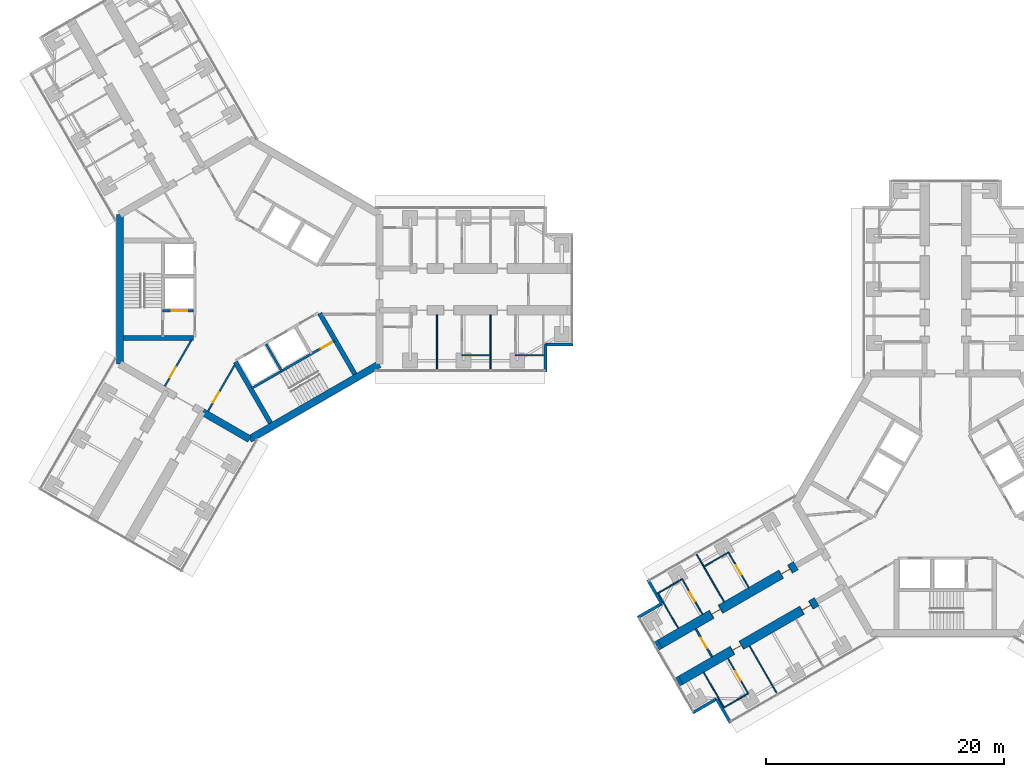
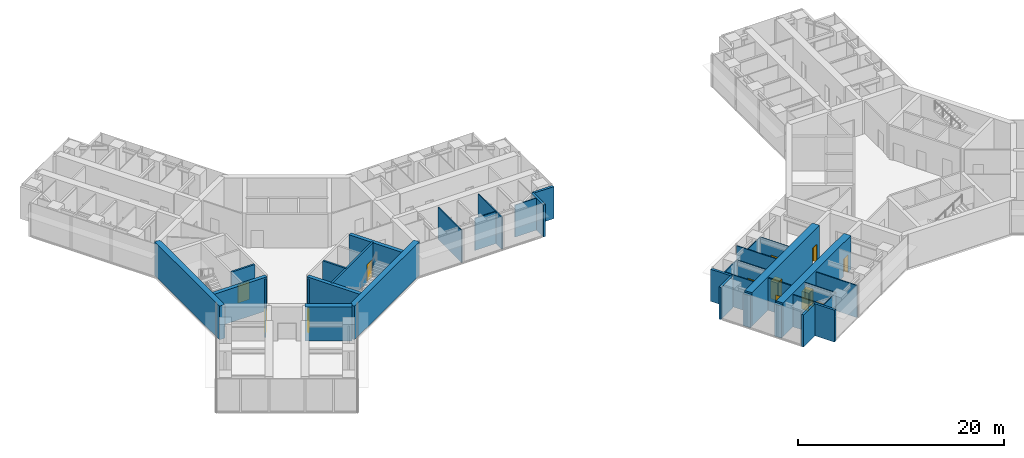
# One storey, part 15 of 23: 36 walls, 12 doors, 12 openings.
"""IFC4 building model written with IfcOpenShell, lengths in metres."""

from ifc_helpers import new_model, si_unit, direction, frame, frame_2d, origin, place, context, subcontext, project, spatial, rectangle, extrude, material, layer, layer_set, type_object, element, fill, save


model = new_model("IFC4")

# Units and contexts
model_context = context("Model", 3, precision=1e-05, world=origin(), true_north=direction((0.0, 1.0)))
body_context = subcontext(model_context, "Body", "Model", "MODEL_VIEW")
ifc_project = project(units=[si_unit("LENGTHUNIT", "METRE"), si_unit("AREAUNIT", "SQUARE_METRE"), si_unit("VOLUMEUNIT", "CUBIC_METRE"), si_unit("PLANEANGLEUNIT", "RADIAN"), si_unit("MASSUNIT", "GRAM", prefix="KILO")], contexts=[model_context])

# Site, building, storey
site_placement = place(None, origin())
site = spatial("IfcSite", under=ifc_project, at=site_placement, CompositionType="ELEMENT")
building_placement = place(site_placement, origin())
building = spatial("IfcBuilding", under=site, at=building_placement, Name="Upepo Twin Towers", CompositionType="ELEMENT")
storey_placement = place(building_placement, frame((0.0, 0.0, 157.5)))
storey = spatial("IfcBuildingStorey", under=building, at=storey_placement, Name="L38", CompositionType="ELEMENT", Elevation=157.5)

# Walls
ifc_material_1 = material(Name="Dense concrete blockwork", Category="masonry")
ifc_layer_1 = layer(ifc_material_1, 0.800048828125)
ifc_layer_set_1 = layer_set([ifc_layer_1], Name="Buttress closer 800, blockwork with fire-stopping to the curtain wall")
wall_type_1 = type_object("IfcWallType", Name="Buttress closer 800, blockwork with fire-stopping to the curtain wall", PredefinedType="PARTITIONING", material=ifc_layer_set_1)
wall_1_placement = place(storey_placement, frame((36.252197265625, -32.865478515625, 0.0), z_axis=(0.0, 0.0, 1.0), x_axis=(-0.865778900179, -0.500426713919, 0.0)))
element("IfcWall", 1, at=wall_1_placement, inside=storey, type_object=wall_type_1, Name="T2 L38 wing B buttress closer L", PredefinedType="PARTITIONING", context=body_context, shape_type="SweptSolid", body=[
    extrude(rectangle(XDim=0.300048828125, YDim=0.800048828125, at=frame_2d((0.14990234375, 0.0))), origin(), (0.0, 0.0, 1.0), 3.800048828125),
])
wall_2_placement = place(storey_placement, frame((34.502197265625, -29.83447265625, 0.0), z_axis=(0.0, 0.0, 1.0), x_axis=(-0.866131372301, -0.499816412211, 0.0)))
element("IfcWall", 2, at=wall_2_placement, inside=storey, type_object=wall_type_1, Name="T2 L38 wing B buttress closer R", PredefinedType="PARTITIONING", context=body_context, shape_type="SweptSolid", body=[
    extrude(rectangle(XDim=0.2998046875, YDim=0.800048828125, at=frame_2d((0.14990234375, 0.0))), origin(), (0.0, 0.0, 1.0), 3.800048828125),
])

# Wall, openings, doors
ifc_material_2 = material(Name="Concrete C60/75", Category="concrete")
ifc_layer_2 = layer(ifc_material_2, 0.800048828125)
ifc_layer_set_2 = layer_set([ifc_layer_2], Name="Concrete C60/75")
wall_type_2 = type_object("IfcWallType", Name="Buttress wall 800 RC", PredefinedType="SHEAR", material=ifc_layer_set_2)
wall_3_placement = place(storey_placement, frame((47.68359375, -26.265625, 0.0), z_axis=(0.0, 0.0, 1.0), x_axis=(-0.866027579429, -0.499996231654, 0.0)))
wall_3 = element("IfcWall", 3, at=wall_3_placement, inside=storey, type_object=wall_type_2, Name="T2 wing B buttress wall L part 2", PredefinedType="SHEAR", context=body_context, shape_type="SweptSolid", body=[
    extrude(rectangle(XDim=13.19970703125, YDim=0.800048828125, at=frame_2d((6.599853515625, 0.0))), origin(), (0.0, 0.0, 1.0), 4.0),
])
opening_1_placement = place(wall_3_placement, frame((0.550048828125, 0.0, 0.0)))
opening_1 = element("IfcOpeningElement", 4, at=opening_1_placement, cuts=wall_3, Name="Opening D14", PredefinedType="OPENING", context=body_context, shape_type="SweptSolid", body=[
    extrude(rectangle(XDim=0.89990234375, YDim=2.10009765625, at=frame_2d((0.449951171875, 1.050048828125))), frame((0.0, 0.409912109375, 0.0), z_axis=(0.0, -1.0, 0.0), x_axis=(1.0, 0.0, 0.0)), (0.0, 0.0, 1.0), 0.820068359375),
])
opening_2_placement = place(wall_3_placement, frame((7.300048828125, 0.0, 0.0)))
opening_2 = element("IfcOpeningElement", 5, at=opening_2_placement, cuts=wall_3, Name="Opening D14", PredefinedType="OPENING", context=body_context, shape_type="SweptSolid", body=[
    extrude(rectangle(XDim=0.89990234375, YDim=2.10009765625, at=frame_2d((0.449951171875, 1.050048828125))), frame((0.0, 0.409912109375, 0.0), z_axis=(0.0, -1.0, 0.0), x_axis=(1.0, 0.0, 0.0)), (0.0, 0.0, 1.0), 0.820068359375),
])
ifc_material_3 = material(Name="Timber doorset", Category="wood")
door_type_1 = type_object("IfcDoorType", Name="Office door 900 FD30", OperationType="SINGLE_SWING_LEFT", PredefinedType="DOOR", material=ifc_material_3)
door_1_placement = place(opening_1_placement, origin())
door_1 = element("IfcDoor", 6, at=door_1_placement, inside=storey, type_object=door_type_1, Name="T2 L38 staff office door", OperationType="SINGLE_SWING_LEFT", OverallHeight=2.10009765625, OverallWidth=0.89990234375, PredefinedType="DOOR", context=body_context, shape_type="SweptSolid", body=[
    extrude(rectangle(XDim=0.81990234375, YDim=2.06009765625, at=frame_2d((0.449951171875, 1.030029296875))), frame((0.0, 0.02490234375, 0.0), z_axis=(0.0, -1.0, 0.0), x_axis=(1.0, 0.0, 0.0)), (0.0, 0.0, 1.0), 0.050048828125),
    extrude(rectangle(XDim=0.04, YDim=2.10009765625, at=frame_2d((0.02001953125, 1.050048828125))), frame((0.0, 0.39990234375, 0.0), z_axis=(0.0, -1.0, 0.0), x_axis=(1.0, 0.0, 0.0)), (0.0, 0.0, 1.0), 0.799560546875),
    extrude(rectangle(XDim=0.04, YDim=2.10009765625, at=frame_2d((0.8798828125, 1.050048828125))), frame((0.0, 0.39990234375, 0.0), z_axis=(0.0, -1.0, 0.0), x_axis=(1.0, 0.0, 0.0)), (0.0, 0.0, 1.0), 0.799560546875),
    extrude(rectangle(XDim=0.81990234375, YDim=0.04, at=frame_2d((0.449951171875, 2.080078125))), frame((0.0, 0.39990234375, 0.0), z_axis=(0.0, -1.0, 0.0), x_axis=(1.0, 0.0, 0.0)), (0.0, 0.0, 1.0), 0.799560546875),
])
fill(opening_1, door_1)
door_2_placement = place(opening_2_placement, origin())
door_2 = element("IfcDoor", 7, at=door_2_placement, inside=storey, type_object=door_type_1, Name="T2 L38 staff office door", OperationType="SINGLE_SWING_RIGHT", OverallHeight=2.10009765625, OverallWidth=0.89990234375, PredefinedType="DOOR", context=body_context, shape_type="SweptSolid", body=[
    extrude(rectangle(XDim=0.81990234375, YDim=2.06009765625, at=frame_2d((0.449951171875, 1.030029296875))), frame((0.0, 0.02490234375, 0.0), z_axis=(0.0, -1.0, 0.0), x_axis=(1.0, 0.0, 0.0)), (0.0, 0.0, 1.0), 0.050048828125),
    extrude(rectangle(XDim=0.04, YDim=2.10009765625, at=frame_2d((0.02001953125, 1.050048828125))), frame((0.0, 0.39990234375, 0.0), z_axis=(0.0, -1.0, 0.0), x_axis=(1.0, 0.0, 0.0)), (0.0, 0.0, 1.0), 0.799560546875),
    extrude(rectangle(XDim=0.04, YDim=2.10009765625, at=frame_2d((0.8798828125, 1.050048828125))), frame((0.0, 0.39990234375, 0.0), z_axis=(0.0, -1.0, 0.0), x_axis=(1.0, 0.0, 0.0)), (0.0, 0.0, 1.0), 0.799560546875),
    extrude(rectangle(XDim=0.81990234375, YDim=0.04, at=frame_2d((0.449951171875, 2.080078125))), frame((0.0, 0.39990234375, 0.0), z_axis=(0.0, -1.0, 0.0), x_axis=(1.0, 0.0, 0.0)), (0.0, 0.0, 1.0), 0.799560546875),
])
fill(opening_2, door_2)

wall_4_placement = place(storey_placement, frame((45.93359375, -23.234375, 0.0), z_axis=(0.0, 0.0, 1.0), x_axis=(-0.866019570528, -0.500010103361, 0.0)))
wall_4 = element("IfcWall", 8, at=wall_4_placement, inside=storey, type_object=wall_type_2, Name="T2 wing B buttress wall R part 2", PredefinedType="SHEAR", context=body_context, shape_type="SweptSolid", body=[
    extrude(rectangle(XDim=13.199951171875, YDim=0.800048828125, at=frame_2d((6.60009765625, 0.0))), origin(), (0.0, 0.0, 1.0), 4.0),
])
opening_3_placement = place(wall_4_placement, frame((0.550048828125, 0.0, 0.0)))
opening_3 = element("IfcOpeningElement", 9, at=opening_3_placement, cuts=wall_4, Name="Opening D14", PredefinedType="OPENING", context=body_context, shape_type="SweptSolid", body=[
    extrude(rectangle(XDim=0.89990234375, YDim=2.10009765625, at=frame_2d((0.449951171875, 1.050048828125))), frame((0.0, 0.409912109375, 0.0), z_axis=(0.0, -1.0, 0.0), x_axis=(1.0, 0.0, 0.0)), (0.0, 0.0, 1.0), 0.820068359375),
])
opening_4_placement = place(wall_4_placement, frame((7.300048828125, 0.0, 0.0)))
opening_4 = element("IfcOpeningElement", 10, at=opening_4_placement, cuts=wall_4, Name="Opening D14", PredefinedType="OPENING", context=body_context, shape_type="SweptSolid", body=[
    extrude(rectangle(XDim=0.89990234375, YDim=2.10009765625, at=frame_2d((0.449951171875, 1.050048828125))), frame((0.0, 0.409912109375, 0.0), z_axis=(0.0, -1.0, 0.0), x_axis=(1.0, 0.0, 0.0)), (0.0, 0.0, 1.0), 0.820068359375),
])
door_3_placement = place(opening_3_placement, origin())
door_3 = element("IfcDoor", 11, at=door_3_placement, inside=storey, type_object=door_type_1, Name="T2 L38 law clinic door", OperationType="SINGLE_SWING_LEFT", OverallHeight=2.10009765625, OverallWidth=0.89990234375, PredefinedType="DOOR", context=body_context, shape_type="SweptSolid", body=[
    extrude(rectangle(XDim=0.81990234375, YDim=2.06009765625, at=frame_2d((0.449951171875, 1.030029296875))), frame((0.0, 0.02490234375, 0.0), z_axis=(0.0, -1.0, 0.0), x_axis=(1.0, 0.0, 0.0)), (0.0, 0.0, 1.0), 0.050048828125),
    extrude(rectangle(XDim=0.04, YDim=2.10009765625, at=frame_2d((0.02001953125, 1.050048828125))), frame((0.0, 0.39990234375, 0.0), z_axis=(0.0, -1.0, 0.0), x_axis=(1.0, 0.0, 0.0)), (0.0, 0.0, 1.0), 0.799560546875),
    extrude(rectangle(XDim=0.04, YDim=2.10009765625, at=frame_2d((0.8798828125, 1.050048828125))), frame((0.0, 0.39990234375, 0.0), z_axis=(0.0, -1.0, 0.0), x_axis=(1.0, 0.0, 0.0)), (0.0, 0.0, 1.0), 0.799560546875),
    extrude(rectangle(XDim=0.81990234375, YDim=0.04, at=frame_2d((0.449951171875, 2.080078125))), frame((0.0, 0.39990234375, 0.0), z_axis=(0.0, -1.0, 0.0), x_axis=(1.0, 0.0, 0.0)), (0.0, 0.0, 1.0), 0.799560546875),
])
fill(opening_3, door_3)
door_4_placement = place(opening_4_placement, origin())
door_4 = element("IfcDoor", 12, at=door_4_placement, inside=storey, type_object=door_type_1, Name="T2 L38 postgraduate office door", OperationType="SINGLE_SWING_RIGHT", OverallHeight=2.10009765625, OverallWidth=0.89990234375, PredefinedType="DOOR", context=body_context, shape_type="SweptSolid", body=[
    extrude(rectangle(XDim=0.81990234375, YDim=2.06009765625, at=frame_2d((0.449951171875, 1.030029296875))), frame((0.0, 0.02490234375, 0.0), z_axis=(0.0, -1.0, 0.0), x_axis=(1.0, 0.0, 0.0)), (0.0, 0.0, 1.0), 0.050048828125),
    extrude(rectangle(XDim=0.04, YDim=2.10009765625, at=frame_2d((0.02001953125, 1.050048828125))), frame((0.0, 0.39990234375, 0.0), z_axis=(0.0, -1.0, 0.0), x_axis=(1.0, 0.0, 0.0)), (0.0, 0.0, 1.0), 0.799560546875),
    extrude(rectangle(XDim=0.04, YDim=2.10009765625, at=frame_2d((0.8798828125, 1.050048828125))), frame((0.0, 0.39990234375, 0.0), z_axis=(0.0, -1.0, 0.0), x_axis=(1.0, 0.0, 0.0)), (0.0, 0.0, 1.0), 0.799560546875),
    extrude(rectangle(XDim=0.81990234375, YDim=0.04, at=frame_2d((0.449951171875, 2.080078125))), frame((0.0, 0.39990234375, 0.0), z_axis=(0.0, -1.0, 0.0), x_axis=(1.0, 0.0, 0.0)), (0.0, 0.0, 1.0), 0.799560546875),
])
fill(opening_4, door_4)

# Walls
ifc_material_4 = material(Name="Concrete C60/75", Category="concrete")
ifc_layer_3 = layer(ifc_material_4, 0.60009765625)
ifc_layer_set_3 = layer_set([ifc_layer_3], Name="Concrete C60/75")
wall_type_3 = type_object("IfcWallType", Name="Core wall 600 RC", PredefinedType="SHEAR", material=ifc_layer_set_3)
wall_5_placement = place(storey_placement, frame((-10.908447265625, 6.2978515625, 0.0), z_axis=(0.0, 0.0, 1.0), x_axis=(0.0, -1.0, 0.0)))
element("IfcWall", 13, at=wall_5_placement, inside=storey, type_object=wall_type_3, Name="T1 core wall 180", PredefinedType="SHEAR", context=body_context, shape_type="SweptSolid", body=[
    extrude(rectangle(XDim=12.595703125, YDim=0.60009765625, at=frame_2d((6.2978515625, 0.0))), origin(), (0.0, 0.0, 1.0), 4.0),
])
wall_6_placement = place(storey_placement, frame((-3.938720703125, -10.32177734375, 0.0), z_axis=(0.0, 0.0, 1.0), x_axis=(0.866011268655, -0.500024481964, 0.0)))
element("IfcWall", 14, at=wall_6_placement, inside=storey, type_object=wall_type_3, Name="T1 core wall 240 L", PredefinedType="SHEAR", context=body_context, shape_type="SweptSolid", body=[
    extrude(rectangle(XDim=4.548095703125, YDim=0.60009765625, at=frame_2d((2.27392578125, 0.0))), origin(), (0.0, 0.0, 1.0), 4.0),
])
wall_7_placement = place(storey_placement, frame((0.0, -12.595947265625, 0.0), z_axis=(0.0, 0.0, 1.0), x_axis=(0.866021940709, 0.500005998175, 0.0)))
element("IfcWall", 15, at=wall_7_placement, inside=storey, type_object=wall_type_3, Name="T1 core wall 300", PredefinedType="SHEAR", context=body_context, shape_type="SweptSolid", body=[
    extrude(rectangle(XDim=12.595947265625, YDim=0.60009765625, at=frame_2d((6.2978515625, 0.0))), origin(), (0.0, 0.0, 1.0), 4.0),
])
ifc_material_5 = material(Name="Blockwork with anodised aluminium cladding", Category="masonry")
ifc_layer_4 = layer(ifc_material_5, 0.25)
ifc_layer_set_4 = layer_set([ifc_layer_4], Name="Notch cladding wall 250, pale metal")
wall_type_4 = type_object("IfcWallType", Name="Notch cladding wall 250, pale metal", PredefinedType="STANDARD", material=ifc_layer_set_4)
for number, where, z_axis, x_axis, name in (
    (16, (24.875, -6.949951171875, 0.0), (0.0, 0.0, 1.0), (0.0, 1.0, 0.0), "T1 L38 wing A notch wall R1"),
    (17, (24.875, -4.625, 0.0), (0.0, 0.0, 1.0), (1.0, 0.0, 0.0), "T1 L38 wing A notch wall R2"),
    (18, (40.4326171875, -36.456298828125, 0.0), (0.0, 0.0, 1.0), (-0.500046648681, 0.865998469481, 0.0), "T2 L38 wing B notch wall L1"),
    (19, (39.27001953125, -34.44287109375, 0.0), (0.0, 0.0, 1.0), (-0.865998469481, -0.500046648681, 0.0), "T2 L38 wing B notch wall L2"),
    (20, (33.482666015625, -24.418701171875, 0.0), (0.0, 0.0, 1.0), (0.499967891604, -0.866043940782, 0.0), "T2 L38 wing B notch wall R1"),
    (21, (34.64501953125, -26.43212890625, 0.0), (0.0, 0.0, 1.0), (-0.865998469481, -0.500046648681, 0.0), "T2 L38 wing B notch wall R2"),
):
    element("IfcWall", number, at=place(storey_placement, frame(where, z_axis=z_axis, x_axis=x_axis)), inside=storey, type_object=wall_type_4, Name=name, PredefinedType="STANDARD", context=body_context, shape_type="SweptSolid", body=[
        extrude(rectangle(XDim=2.324951171875, YDim=0.25, at=frame_2d((1.16259765625, 0.0))), origin(), (0.0, 0.0, 1.0), 3.800048828125),
    ])
ifc_material_6 = material(Name="Gypsum board on steel studs", Category="steel")
ifc_layer_5 = layer(ifc_material_6, 0.10009765625)
ifc_layer_set_5 = layer_set([ifc_layer_5], Name="Office partition 100 stud")
wall_type_5 = type_object("IfcWallType", Name="Office partition 100 stud", PredefinedType="PARTITIONING", material=ifc_layer_set_5)
for number, where, z_axis, x_axis, name in (
    (22, (15.75, -2.14990234375, 0.0), (0.0, 0.0, 1.0), (0.0, -1.0, 0.0), "T1 partition AR at 15.75"),
    (23, (20.25, -2.14990234375, 0.0), (0.0, 0.0, 1.0), (0.0, -1.0, 0.0), "T1 partition AR at 20.25"),
):
    element("IfcWall", number, at=place(storey_placement, frame(where, z_axis=z_axis, x_axis=x_axis)), inside=storey, type_object=wall_type_5, Name=name, PredefinedType="PARTITIONING", context=body_context, shape_type="SweptSolid", body=[
        extrude(rectangle(XDim=4.60009765625, YDim=0.10009765625, at=frame_2d((2.300048828125, 0.0))), origin(), (0.0, 0.0, 1.0), 3.800048828125),
    ])
for number, where, z_axis, x_axis, name in (
    (24, (17.85009765625, -5.550048828125, 0.0), (0.0, 0.0, 1.0), (1.0, 0.0, 0.0), "T1 inner room partition AR at 17.85"),
    (25, (22.35009765625, -5.550048828125, 0.0), (0.0, 0.0, 1.0), (1.0, 0.0, 0.0), "T1 inner room partition AR at 22.35"),
):
    element("IfcWall", number, at=place(storey_placement, frame(where, z_axis=z_axis, x_axis=x_axis)), inside=storey, type_object=wall_type_5, Name=name, PredefinedType="PARTITIONING", context=body_context, shape_type="SweptSolid", body=[
        extrude(rectangle(XDim=2.39990234375, YDim=0.10009765625, at=frame_2d((1.199951171875, 0.0))), origin(), (0.0, 0.0, 1.0), 3.800048828125),
    ])
wall_8_placement = place(storey_placement, frame((42.0380859375, -29.987060546875, 0.0), z_axis=(0.0, 0.0, 1.0), x_axis=(0.499975146636, -0.866039752405, 0.0)))
element("IfcWall", 26, at=wall_8_placement, inside=storey, type_object=wall_type_5, Name="T2 partition BL at 20.25", PredefinedType="PARTITIONING", context=body_context, shape_type="SweptSolid", body=[
    extrude(rectangle(XDim=4.599853515625, YDim=0.10009765625, at=frame_2d((2.2998046875, 0.0))), origin(), (0.0, 0.0, 1.0), 3.800048828125),
])
wall_9_placement = place(storey_placement, frame((41.91943359375, -33.9814453125, 0.0), z_axis=(0.0, 0.0, 1.0), x_axis=(-0.866050077142, -0.499957262057, 0.0)))
element("IfcWall", 27, at=wall_9_placement, inside=storey, type_object=wall_type_5, Name="T2 inner room partition BL at 22.35", PredefinedType="PARTITIONING", context=body_context, shape_type="SweptSolid", body=[
    extrude(rectangle(XDim=2.400146484375, YDim=0.10009765625, at=frame_2d((1.2001953125, 0.0))), origin(), (0.0, 0.0, 1.0), 3.800048828125),
])

# Wall, opening, door
wall_10_placement = place(storey_placement, frame((40.21923828125, -31.036865234375, 0.0), z_axis=(0.0, 0.0, 1.0), x_axis=(0.500031147688, -0.866007419912, 0.0)))
wall_10 = element("IfcWall", 28, at=wall_10_placement, inside=storey, type_object=wall_type_5, Name="T2 inner room partition BL end at 22.35", PredefinedType="PARTITIONING", context=body_context, shape_type="SweptSolid", body=[
    extrude(rectangle(XDim=3.400146484375, YDim=0.10009765625, at=frame_2d((1.7001953125, 0.0))), origin(), (0.0, 0.0, 1.0), 3.800048828125),
])
opening_5_placement = place(wall_10_placement, frame((1.25, 0.0, 0.0)))
opening_5 = element("IfcOpeningElement", 29, at=opening_5_placement, cuts=wall_10, Name="Opening D14", PredefinedType="OPENING", context=body_context, shape_type="SweptSolid", body=[
    extrude(rectangle(XDim=0.89990234375, YDim=2.10009765625, at=frame_2d((0.449951171875, 1.050048828125))), frame((0.0, 0.06005859375, 0.0), z_axis=(0.0, -1.0, 0.0), x_axis=(1.0, 0.0, 0.0)), (0.0, 0.0, 1.0), 0.1201171875),
])
door_5_placement = place(opening_5_placement, origin())
door_5 = element("IfcDoor", 30, at=door_5_placement, inside=storey, type_object=door_type_1, Name="T2 L38 inner room door", OperationType="SINGLE_SWING_LEFT", OverallHeight=2.10009765625, OverallWidth=0.89990234375, PredefinedType="DOOR", context=body_context, shape_type="SweptSolid", body=[
    extrude(rectangle(XDim=0.89990234375, YDim=2.10009765625, at=frame_2d((0.449951171875, 1.050048828125))), frame((0.0, 0.02490234375, 0.0), z_axis=(0.0, -1.0, 0.0), x_axis=(1.0, 0.0, 0.0)), (0.0, 0.0, 1.0), 0.050048828125),
])
fill(opening_5, door_5)

# Walls
wall_11_placement = place(storey_placement, frame((38.18408203125, -32.2119140625, 0.0), z_axis=(0.0, 0.0, 1.0), x_axis=(0.500031147688, -0.866007419912, 0.0)))
element("IfcWall", 31, at=wall_11_placement, inside=storey, type_object=wall_type_5, Name="T2 inner room partition BL end at 24.75", PredefinedType="PARTITIONING", context=body_context, shape_type="SweptSolid", body=[
    extrude(rectangle(XDim=3.400146484375, YDim=0.10009765625, at=frame_2d((1.7001953125, 0.0))), origin(), (0.0, 0.0, 1.0), 3.800048828125),
])
wall_12_placement = place(storey_placement, frame((39.887939453125, -26.262939453125, 0.0), z_axis=(0.0, 0.0, 1.0), x_axis=(-0.500014953309, 0.866016770315, 0.0)))
element("IfcWall", 32, at=wall_12_placement, inside=storey, type_object=wall_type_5, Name="T2 partition BR at 20.25", PredefinedType="PARTITIONING", context=body_context, shape_type="SweptSolid", body=[
    extrude(rectangle(XDim=4.599853515625, YDim=0.10009765625, at=frame_2d((2.2998046875, 0.0))), origin(), (0.0, 0.0, 1.0), 3.800048828125),
])
wall_13_placement = place(storey_placement, frame((40.266357421875, -22.11865234375, 0.0), z_axis=(0.0, 0.0, 1.0), x_axis=(-0.866024647952, -0.500001309137, 0.0)))
element("IfcWall", 33, at=wall_13_placement, inside=storey, type_object=wall_type_5, Name="T2 inner room partition BR at 17.85", PredefinedType="PARTITIONING", context=body_context, shape_type="SweptSolid", body=[
    extrude(rectangle(XDim=2.39990234375, YDim=0.10009765625, at=frame_2d((1.199951171875, 0.0))), origin(), (0.0, 0.0, 1.0), 3.800048828125),
])

# Wall, opening, door
wall_14_placement = place(storey_placement, frame((41.966552734375, -25.06298828125, 0.0), z_axis=(0.0, 0.0, 1.0), x_axis=(-0.500062241894, 0.865989465428, 0.0)))
wall_14 = element("IfcWall", 34, at=wall_14_placement, inside=storey, type_object=wall_type_5, Name="T2 inner room partition BR end at 17.85", PredefinedType="PARTITIONING", context=body_context, shape_type="SweptSolid", body=[
    extrude(rectangle(XDim=3.39990234375, YDim=0.10009765625, at=frame_2d((1.699951171875, 0.0))), origin(), (0.0, 0.0, 1.0), 3.800048828125),
])
opening_6_placement = place(wall_14_placement, frame((1.25, 0.0, 0.0)))
opening_6 = element("IfcOpeningElement", 35, at=opening_6_placement, cuts=wall_14, Name="Opening D14", PredefinedType="OPENING", context=body_context, shape_type="SweptSolid", body=[
    extrude(rectangle(XDim=0.89990234375, YDim=2.10009765625, at=frame_2d((0.449951171875, 1.050048828125))), frame((0.0, 0.06005859375, 0.0), z_axis=(0.0, -1.0, 0.0), x_axis=(1.0, 0.0, 0.0)), (0.0, 0.0, 1.0), 0.1201171875),
])
door_6_placement = place(opening_6_placement, origin())
door_6 = element("IfcDoor", 36, at=door_6_placement, inside=storey, type_object=door_type_1, Name="T2 L38 inner room door", OperationType="SINGLE_SWING_LEFT", OverallHeight=2.10009765625, OverallWidth=0.89990234375, PredefinedType="DOOR", context=body_context, shape_type="SweptSolid", body=[
    extrude(rectangle(XDim=0.89990234375, YDim=2.10009765625, at=frame_2d((0.449951171875, 1.050048828125))), frame((0.0, 0.02490234375, 0.0), z_axis=(0.0, -1.0, 0.0), x_axis=(1.0, 0.0, 0.0)), (0.0, 0.0, 1.0), 0.050048828125),
])
fill(opening_6, door_6)

# Wall
wall_15_placement = place(storey_placement, frame((36.369384765625, -24.36865234375, 0.0), z_axis=(0.0, 0.0, 1.0), x_axis=(-0.866050077142, -0.499957262057, 0.0)))
element("IfcWall", 37, at=wall_15_placement, inside=storey, type_object=wall_type_5, Name="T2 inner room partition BR at 22.35", PredefinedType="PARTITIONING", context=body_context, shape_type="SweptSolid", body=[
    extrude(rectangle(XDim=2.400146484375, YDim=0.10009765625, at=frame_2d((1.2001953125, 0.0))), origin(), (0.0, 0.0, 1.0), 3.800048828125),
])

# Wall, opening, door
wall_16_placement = place(storey_placement, frame((38.0693359375, -27.31298828125, 0.0), z_axis=(0.0, 0.0, 1.0), x_axis=(-0.500008388397, 0.866020560687, 0.0)))
wall_16 = element("IfcWall", 38, at=wall_16_placement, inside=storey, type_object=wall_type_5, Name="T2 inner room partition BR end at 22.35", PredefinedType="PARTITIONING", context=body_context, shape_type="SweptSolid", body=[
    extrude(rectangle(XDim=3.39990234375, YDim=0.10009765625, at=frame_2d((1.699951171875, 0.0))), origin(), (0.0, 0.0, 1.0), 3.800048828125),
])
opening_7_placement = place(wall_16_placement, frame((1.25, 0.0, 0.0)))
opening_7 = element("IfcOpeningElement", 39, at=opening_7_placement, cuts=wall_16, Name="Opening D14", PredefinedType="OPENING", context=body_context, shape_type="SweptSolid", body=[
    extrude(rectangle(XDim=0.89990234375, YDim=2.10009765625, at=frame_2d((0.449951171875, 1.050048828125))), frame((0.0, 0.06005859375, 0.0), z_axis=(0.0, -1.0, 0.0), x_axis=(1.0, 0.0, 0.0)), (0.0, 0.0, 1.0), 0.1201171875),
])
door_7_placement = place(opening_7_placement, origin())
door_7 = element("IfcDoor", 40, at=door_7_placement, inside=storey, type_object=door_type_1, Name="T2 L38 inner room door", OperationType="SINGLE_SWING_LEFT", OverallHeight=2.10009765625, OverallWidth=0.89990234375, PredefinedType="DOOR", context=body_context, shape_type="SweptSolid", body=[
    extrude(rectangle(XDim=0.89990234375, YDim=2.10009765625, at=frame_2d((0.449951171875, 1.050048828125))), frame((0.0, 0.02490234375, 0.0), z_axis=(0.0, -1.0, 0.0), x_axis=(1.0, 0.0, 0.0)), (0.0, 0.0, 1.0), 0.050048828125),
])
fill(opening_7, door_7)

# Wall
wall_17_placement = place(storey_placement, frame((36.0341796875, -28.488037109375, 0.0), z_axis=(0.0, 0.0, 1.0), x_axis=(-0.499977295307, 0.866038511948, 0.0)))
element("IfcWall", 41, at=wall_17_placement, inside=storey, type_object=wall_type_5, Name="T2 inner room partition BR end at 24.75", PredefinedType="PARTITIONING", context=body_context, shape_type="SweptSolid", body=[
    extrude(rectangle(XDim=3.400146484375, YDim=0.10009765625, at=frame_2d((1.7001953125, 0.0))), origin(), (0.0, 0.0, 1.0), 3.800048828125),
])

# Wall, opening, door
ifc_material_7 = material(Name="Concrete C40/50", Category="concrete")
ifc_layer_6 = layer(ifc_material_7, 0.199951171875)
ifc_layer_set_6 = layer_set([ifc_layer_6], Name="Concrete C40/50")
wall_type_6 = type_object("IfcWallType", Name="Shaft wall 200 RC", PredefinedType="SHEAR", material=ifc_layer_set_6)
wall_18_placement = place(storey_placement, frame((-4.699951171875, -1.800048828125, 0.0), z_axis=(0.0, 0.0, 1.0), x_axis=(-1.0, 0.0, 0.0)))
wall_18 = element("IfcWall", 42, at=wall_18_placement, inside=storey, type_object=wall_type_6, Name="T1 core W180 lobby wall", PredefinedType="SHEAR", context=body_context, shape_type="SweptSolid", body=[
    extrude(rectangle(XDim=2.60009765625, YDim=0.199951171875, at=frame_2d((1.300048828125, 0.0))), origin(), (0.0, 0.0, 1.0), 4.0),
])
opening_8_placement = place(wall_18_placement, frame((0.550048828125, 0.0, 0.0)))
opening_8 = element("IfcOpeningElement", 43, at=opening_8_placement, cuts=wall_18, Name="Opening LD2", PredefinedType="OPENING", context=body_context, shape_type="SweptSolid", body=[
    extrude(rectangle(XDim=1.300048828125, YDim=2.199951171875, at=frame_2d((0.64990234375, 1.10009765625))), frame((0.0, 0.10986328125, 0.0), z_axis=(0.0, -1.0, 0.0), x_axis=(1.0, 0.0, 0.0)), (0.0, 0.0, 1.0), 0.219970703125),
])
ifc_material_8 = material(Name="Steel doorset", Category="steel")
door_type_2 = type_object("IfcDoorType", Name="Firefighting lift landing door 1300", OperationType="DOUBLE_DOOR_SLIDING", PredefinedType="DOOR", material=ifc_material_8)
door_8_placement = place(opening_8_placement, origin())
door_8 = element("IfcDoor", 44, at=door_8_placement, inside=storey, type_object=door_type_2, Name="T1 L38 firefighting lift landing door", OperationType="DOUBLE_DOOR_SLIDING", OverallHeight=2.199951171875, OverallWidth=1.300048828125, PredefinedType="DOOR", context=body_context, shape_type="SweptSolid", body=[
    extrude(rectangle(XDim=1.300048828125, YDim=2.199951171875, at=frame_2d((0.64990234375, 1.10009765625))), frame((0.0, 0.02490234375, 0.0), z_axis=(0.0, -1.0, 0.0), x_axis=(1.0, 0.0, 0.0)), (0.0, 0.0, 1.0), 0.050048828125),
])
fill(opening_8, door_8)

# Wall
wall_19_placement = place(storey_placement, frame((1.3974609375, -4.620361328125, 0.0), z_axis=(0.0, 0.0, 1.0), x_axis=(0.499936506574, -0.866062058628, 0.0)))
element("IfcWall", 45, at=wall_19_placement, inside=storey, type_object=wall_type_6, Name="T1 core W300 shaft divider", PredefinedType="SHEAR", context=body_context, shape_type="SweptSolid", body=[
    extrude(rectangle(XDim=2.599853515625, YDim=0.199951171875, at=frame_2d((1.2998046875, 0.0))), origin(), (0.0, 0.0, 1.0), 4.0),
])

# Wall, opening, door
wall_20_placement = place(storey_placement, frame((0.185791015625, -8.322021484375, 0.0), z_axis=(0.0, 0.0, 1.0), x_axis=(0.866026010844, 0.49999894854, 0.0)))
wall_20 = element("IfcWall", 46, at=wall_20_placement, inside=storey, type_object=wall_type_6, Name="T1 core W300 stair wall", PredefinedType="SHEAR", context=body_context, shape_type="SweptSolid", body=[
    extrude(rectangle(XDim=8.0, YDim=0.199951171875, at=frame_2d((4.0, 0.0))), origin(), (0.0, 0.0, 1.0), 4.0),
])
opening_9_placement = place(wall_20_placement, frame((6.699951171875, 0.0, 0.0)))
opening_9 = element("IfcOpeningElement", 47, at=opening_9_placement, cuts=wall_20, Name="Opening D3", PredefinedType="OPENING", context=body_context, shape_type="SweptSolid", body=[
    extrude(rectangle(XDim=1.10009765625, YDim=2.10009765625, at=frame_2d((0.550048828125, 1.050048828125))), frame((0.0, 0.10986328125, 0.0), z_axis=(0.0, -1.0, 0.0), x_axis=(1.0, 0.0, 0.0)), (0.0, 0.0, 1.0), 0.219970703125),
])
ifc_material_9 = material(Name="Timber doorset", Category="wood")
door_type_3 = type_object("IfcDoorType", Name="Stair door 1100 FD60", OperationType="SINGLE_SWING_LEFT", PredefinedType="DOOR", material=ifc_material_9)
door_9_placement = place(opening_9_placement, origin())
door_9 = element("IfcDoor", 48, at=door_9_placement, inside=storey, type_object=door_type_3, Name="T1 L38 stair door", OperationType="SINGLE_SWING_RIGHT", OverallHeight=2.10009765625, OverallWidth=1.10009765625, PredefinedType="DOOR", context=body_context, shape_type="SweptSolid", body=[
    extrude(rectangle(XDim=1.10009765625, YDim=2.10009765625, at=frame_2d((0.550048828125, 1.050048828125))), frame((0.0, 0.02490234375, 0.0), z_axis=(0.0, -1.0, 0.0), x_axis=(1.0, 0.0, 0.0)), (0.0, 0.0, 1.0), 0.050048828125),
])
fill(opening_9, door_9)

# Walls
ifc_material_10 = material(Name="Concrete C40/50", Category="concrete")
ifc_layer_7 = layer(ifc_material_10, 0.39990234375)
ifc_layer_set_7 = layer_set([ifc_layer_7], Name="Concrete C40/50")
wall_type_7 = type_object("IfcWallType", Name="Shaft wall 400 RC", PredefinedType="SHEAR", material=ifc_layer_set_7)
for number, where, z_axis, x_axis, name in (
    (49, (-4.699951171875, -4.10009765625, 0.0), (0.0, 0.0, 1.0), (-1.0, 0.0, 0.0), "T1 core W180 side wall N"),
    (50, (5.900634765625, -2.020263671875, 0.0), (0.0, 0.0, 1.0), (0.500027676417, -0.866009424208, 0.0), "T1 core W300 side wall N"),
):
    element("IfcWall", number, at=place(storey_placement, frame(where, z_axis=z_axis, x_axis=x_axis)), inside=storey, type_object=wall_type_7, Name=name, PredefinedType="SHEAR", context=body_context, shape_type="SweptSolid", body=[
        extrude(rectangle(XDim=5.908447265625, YDim=0.39990234375, at=frame_2d((2.9541015625, 0.0))), origin(), (0.0, 0.0, 1.0), 4.0),
    ])
wall_21_placement = place(storey_placement, frame((-1.20068359375, -6.120361328125, 0.0), z_axis=(0.0, 0.0, 1.0), x_axis=(0.49999668571, -0.866027317282, 0.0)))
element("IfcWall", 51, at=wall_21_placement, inside=storey, type_object=wall_type_7, Name="T1 core W300 side wall S", PredefinedType="SHEAR", context=body_context, shape_type="SweptSolid", body=[
    extrude(rectangle(XDim=5.908203125, YDim=0.39990234375, at=frame_2d((2.9541015625, 0.0))), origin(), (0.0, 0.0, 1.0), 4.0),
])

# Wall, opening, door
ifc_material_11 = material(Name="Gypsum board on steel studs", Category="steel")
ifc_layer_8 = layer(ifc_material_11, 0.14990234375)
ifc_layer_set_8 = layer_set([ifc_layer_8], Name="Teaching partition 150 acoustic")
wall_type_8 = type_object("IfcWallType", Name="Teaching partition 150 acoustic", PredefinedType="PARTITIONING", material=ifc_layer_set_8)
wall_22_placement = place(storey_placement, frame((-1.252685546875, -6.36962890625, 0.0), z_axis=(0.0, 0.0, 1.0), x_axis=(-0.499999473313, -0.866025707867, 0.0)))
wall_22 = element("IfcWall", 52, at=wall_22_placement, inside=storey, type_object=wall_type_8, Name="T1 core room partition 1", PredefinedType="PARTITIONING", context=body_context, shape_type="SweptSolid", body=[
    extrude(rectangle(XDim=4.4755859375, YDim=0.14990234375, at=frame_2d((2.23779296875, 0.0))), origin(), (0.0, 0.0, 1.0), 3.800048828125),
])
opening_10_placement = place(wall_22_placement, frame((2.633056640625, 0.0, 0.0)))
opening_10 = element("IfcOpeningElement", 53, at=opening_10_placement, cuts=wall_22, Name="Opening D1", PredefinedType="OPENING", context=body_context, shape_type="SweptSolid", body=[
    extrude(rectangle(XDim=1.0, YDim=2.10009765625, at=frame_2d((0.5, 1.050048828125))), frame((0.0, 0.0849609375, 0.0), z_axis=(0.0, -1.0, 0.0), x_axis=(1.0, 0.0, 0.0)), (0.0, 0.0, 1.0), 0.169921875),
])
ifc_material_12 = material(Name="Timber doorset", Category="wood")
door_type_4 = type_object("IfcDoorType", Name="Room door 1000 FD30", OperationType="SINGLE_SWING_LEFT", PredefinedType="DOOR", material=ifc_material_12)
door_10_placement = place(opening_10_placement, origin())
door_10 = element("IfcDoor", 54, at=door_10_placement, inside=storey, type_object=door_type_4, Name="T1 L38 core room door K2", OperationType="SINGLE_SWING_RIGHT", OverallHeight=2.10009765625, OverallWidth=1.0, PredefinedType="DOOR", context=body_context, shape_type="SweptSolid", body=[
    extrude(rectangle(XDim=1.0, YDim=2.10009765625, at=frame_2d((0.5, 1.050048828125))), frame((0.0, 0.02490234375, 0.0), z_axis=(0.0, -1.0, 0.0), x_axis=(1.0, 0.0, 0.0)), (0.0, 0.0, 1.0), 0.050048828125),
])
fill(opening_10, door_10)

wall_23_placement = place(storey_placement, frame((-7.127685546875, -8.145751953125, 0.0), z_axis=(0.0, 0.0, 1.0), x_axis=(0.499999473313, 0.866025707867, 0.0)))
wall_23 = element("IfcWall", 55, at=wall_23_placement, inside=storey, type_object=wall_type_8, Name="T1 core room partition 2", PredefinedType="PARTITIONING", context=body_context, shape_type="SweptSolid", body=[
    extrude(rectangle(XDim=4.4755859375, YDim=0.14990234375, at=frame_2d((2.23779296875, 0.0))), origin(), (0.0, 0.0, 1.0), 3.800048828125),
])
opening_11_placement = place(wall_23_placement, frame((0.8427734375, 0.0, 0.0)))
opening_11 = element("IfcOpeningElement", 56, at=opening_11_placement, cuts=wall_23, Name="Opening D1", PredefinedType="OPENING", context=body_context, shape_type="SweptSolid", body=[
    extrude(rectangle(XDim=1.0, YDim=2.10009765625, at=frame_2d((0.5, 1.050048828125))), frame((0.0, 0.0849609375, 0.0), z_axis=(0.0, -1.0, 0.0), x_axis=(1.0, 0.0, 0.0)), (0.0, 0.0, 1.0), 0.169921875),
])
door_11_placement = place(opening_11_placement, origin())
door_11 = element("IfcDoor", 57, at=door_11_placement, inside=storey, type_object=door_type_4, Name="T1 L38 core room door K1", OperationType="SINGLE_SWING_LEFT", OverallHeight=2.10009765625, OverallWidth=1.0, PredefinedType="DOOR", context=body_context, shape_type="SweptSolid", body=[
    extrude(rectangle(XDim=1.0, YDim=2.10009765625, at=frame_2d((0.5, 1.050048828125))), frame((0.0, 0.02490234375, 0.0), z_axis=(0.0, -1.0, 0.0), x_axis=(1.0, 0.0, 0.0)), (0.0, 0.0, 1.0), 0.050048828125),
])
fill(opening_11, door_11)

wall_24_placement = place(storey_placement, frame((37.5166015625, -28.555908203125, 0.0), z_axis=(0.0, 0.0, 1.0), x_axis=(0.500048589285, -0.86599734893, 0.0)))
wall_24 = element("IfcWall", 58, at=wall_24_placement, inside=storey, type_object=wall_type_8, Name="T2 corridor end partition B at 23.45", PredefinedType="PARTITIONING", context=body_context, shape_type="SweptSolid", body=[
    extrude(rectangle(XDim=2.699951171875, YDim=0.14990234375, at=frame_2d((1.35009765625, 0.0))), origin(), (0.0, 0.0, 1.0), 3.800048828125),
])
opening_12_placement = place(wall_24_placement, frame((0.85009765625, 0.0, 0.0)))
opening_12 = element("IfcOpeningElement", 59, at=opening_12_placement, cuts=wall_24, Name="Opening D1", PredefinedType="OPENING", context=body_context, shape_type="SweptSolid", body=[
    extrude(rectangle(XDim=1.0, YDim=2.10009765625, at=frame_2d((0.5, 1.050048828125))), frame((0.0, 0.0849609375, 0.0), z_axis=(0.0, -1.0, 0.0), x_axis=(1.0, 0.0, 0.0)), (0.0, 0.0, 1.0), 0.169921875),
])
door_12_placement = place(opening_12_placement, origin())
door_12 = element("IfcDoor", 60, at=door_12_placement, inside=storey, type_object=door_type_4, Name="T2 L38 breakout study room door", OperationType="SINGLE_SWING_RIGHT", OverallHeight=2.10009765625, OverallWidth=1.0, PredefinedType="DOOR", context=body_context, shape_type="SweptSolid", body=[
    extrude(rectangle(XDim=1.0, YDim=2.10009765625, at=frame_2d((0.5, 1.050048828125))), frame((0.0, 0.02490234375, 0.0), z_axis=(0.0, -1.0, 0.0), x_axis=(1.0, 0.0, 0.0)), (0.0, 0.0, 1.0), 0.050048828125),
])
fill(opening_12, door_12)

save(model, "model.ifc")
